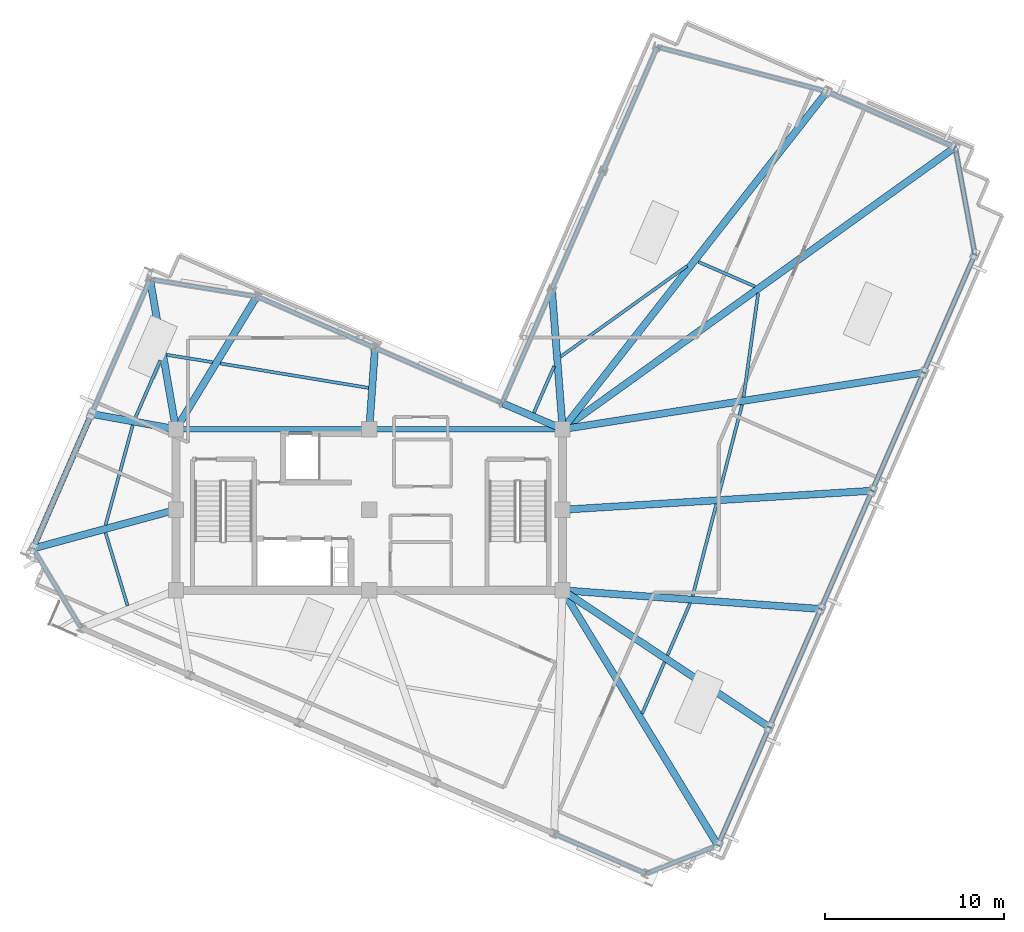
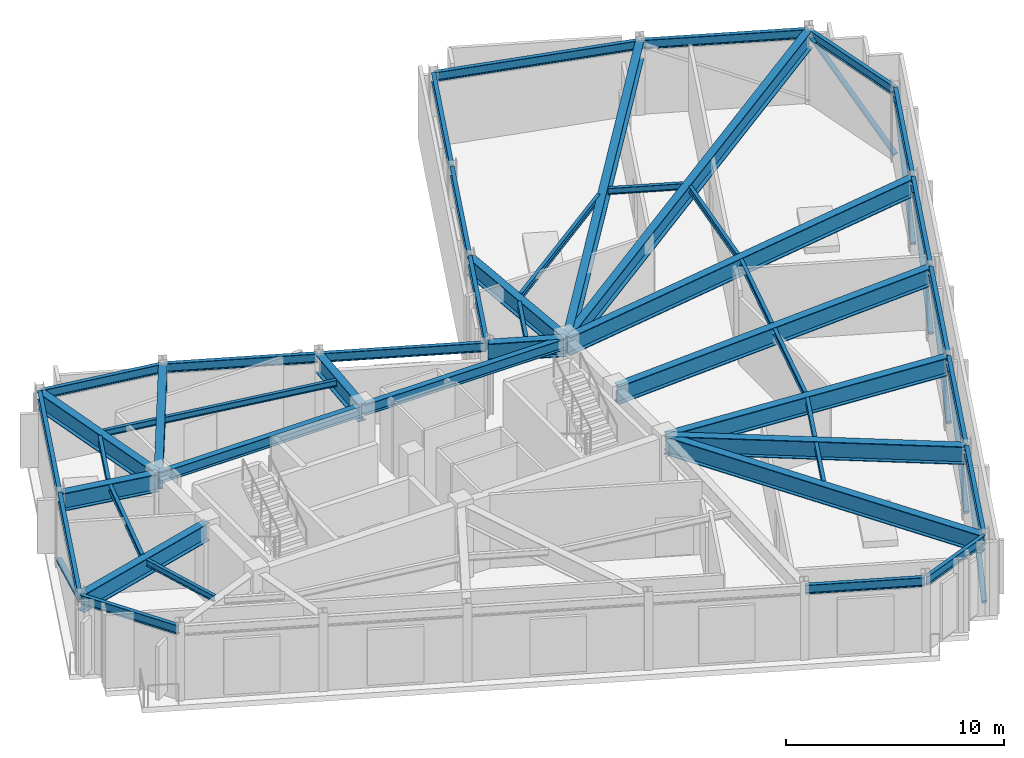
# One storey, part 3 of 11: 48 beams, 7 members.
"""IFC4 building model written with IfcOpenShell, lengths in metres."""

from ifc_helpers import new_model, si_unit, direction, frame, origin, origin_2d, place, context, subcontext, project, spatial, hollow_circle, i_section, extrude, material, material_profile, profile_set, type_object, element, save


model = new_model("IFC4")

# Units and contexts
model_context = context("Model", 3, precision=1e-05, world=origin(), true_north=direction((0.0, 1.0)))
body_context = subcontext(model_context, "Body", "Model", "MODEL_VIEW")
ifc_project = project(units=[si_unit("LENGTHUNIT", "METRE"), si_unit("AREAUNIT", "SQUARE_METRE"), si_unit("VOLUMEUNIT", "CUBIC_METRE"), si_unit("PLANEANGLEUNIT", "RADIAN"), si_unit("MASSUNIT", "GRAM", prefix="KILO")], contexts=[model_context])

# Site, building, storey
site_placement = place(None, origin())
site = spatial("IfcSite", under=ifc_project, at=site_placement, CompositionType="ELEMENT")
building_placement = place(site_placement, origin())
building = spatial("IfcBuilding", under=site, at=building_placement, Name="Gaonmaruhae Medical Tower", CompositionType="ELEMENT")
storey_placement = place(building_placement, frame((0.0, 0.0, 338.199951171875)))
storey = spatial("IfcBuildingStorey", under=building, at=storey_placement, Name="L81", CompositionType="ELEMENT", Elevation=338.199951171875)

# Beams
ifc_material_1 = material(Name="Steel SM420", Category="steel")
ifc_material_profile_1 = material_profile(ifc_material_1, i_section(OverallWidth=0.39990234375, OverallDepth=1.0, WebThickness=0.02197265625, FlangeThickness=0.035888671875, at=origin_2d()), Name="BH-1000x400x22x36")
ifc_profile_set_1 = profile_set([ifc_material_profile_1], Name="Steel SM420")
beam_type_1 = type_object("IfcBeamType", Name="BG-02 Refuge Floor Primary Girder (BH-1000x400x22x36)", PredefinedType="BEAM", material=ifc_profile_set_1)
beam_1_placement = place(storey_placement, frame((35.6259765625, 7.75732421875, 3.60009765625), z_axis=(0.520036625826, -0.854143961988, 0.0), x_axis=(0.854143961988, 0.520036625826, 0.0)))
element("IfcBeam", 1, at=beam_1_placement, inside=storey, type_object=beam_type_1, Name="L81 Radial Primary Girder S01", PredefinedType="BEAM", context=body_context, shape_type="SweptSolid", body=[
    extrude(i_section(OverallWidth=0.39990234375, OverallDepth=1.0, WebThickness=0.02197265625, FlangeThickness=0.035888671875, at=origin_2d()), origin(), (0.0, 0.0, 1.0), 16.58154296875),
])
beam_2_placement = place(storey_placement, frame((35.6416015625, 7.7724609375, 3.60009765625), z_axis=(0.833770161097, -0.552111690208, 0.0), x_axis=(0.552111690208, 0.833770161097, 0.0)))
element("IfcBeam", 2, at=beam_2_placement, inside=storey, type_object=beam_type_1, Name="L81 Radial Primary Girder S02", PredefinedType="BEAM", context=body_context, shape_type="SweptSolid", body=[
    extrude(i_section(OverallWidth=0.39990234375, OverallDepth=1.0, WebThickness=0.02197265625, FlangeThickness=0.035888671875, at=origin_2d()), origin(), (0.0, 0.0, 1.0), 13.748291015625),
])
beam_3_placement = place(storey_placement, frame((35.64990234375, 7.79638671875, 3.60009765625), z_axis=(0.997394062708, -0.072146265841, 0.0), x_axis=(0.072146265841, 0.997394062708, 0.0)))
element("IfcBeam", 3, at=beam_3_placement, inside=storey, type_object=beam_type_1, Name="L81 Radial Primary Girder S03", PredefinedType="BEAM", context=body_context, shape_type="SweptSolid", body=[
    extrude(i_section(OverallWidth=0.39990234375, OverallDepth=1.0, WebThickness=0.02197265625, FlangeThickness=0.035888671875, at=origin_2d()), origin(), (0.0, 0.0, 1.0), 14.354736328125),
])
beam_4_placement = place(storey_placement, frame((35.64990234375, 12.302978515625, 3.60009765625), z_axis=(0.998125311209, 0.061203456791, 0.0), x_axis=(-0.061203456791, 0.998125311209, 0.0)))
element("IfcBeam", 4, at=beam_4_placement, inside=storey, type_object=beam_type_1, Name="L81 Radial Primary Girder S04", PredefinedType="BEAM", context=body_context, shape_type="SweptSolid", body=[
    extrude(i_section(OverallWidth=0.39990234375, OverallDepth=1.0, WebThickness=0.02197265625, FlangeThickness=0.035888671875, at=origin_2d()), origin(), (0.0, 0.0, 1.0), 17.220458984375),
])
beam_5_placement = place(storey_placement, frame((35.6494140625, 16.807861328125, 3.60009765625), z_axis=(0.987915736395, 0.15499192812, 0.0), x_axis=(-0.15499192812, 0.987915736395, 0.0)))
element("IfcBeam", 5, at=beam_5_placement, inside=storey, type_object=beam_type_1, Name="L81 Radial Primary Girder S05", PredefinedType="BEAM", context=body_context, shape_type="SweptSolid", body=[
    extrude(i_section(OverallWidth=0.39990234375, OverallDepth=1.0, WebThickness=0.02197265625, FlangeThickness=0.035888671875, at=origin_2d()), origin(), (0.0, 0.0, 1.0), 20.3056640625),
])
beam_6_placement = place(storey_placement, frame((35.640625, 16.8291015625, 3.60009765625), z_axis=(0.812127869731, 0.583479496818, 0.0), x_axis=(-0.583479496818, 0.812127869731, 0.0)))
element("IfcBeam", 6, at=beam_6_placement, inside=storey, type_object=beam_type_1, Name="L81 Radial Primary Girder E01", PredefinedType="BEAM", context=body_context, shape_type="SweptSolid", body=[
    extrude(i_section(OverallWidth=0.39990234375, OverallDepth=1.0, WebThickness=0.02197265625, FlangeThickness=0.035888671875, at=origin_2d()), origin(), (0.0, 0.0, 1.0), 26.89794921875),
])
beam_7_placement = place(storey_placement, frame((35.630859375, 16.83935546875, 3.60009765625), z_axis=(0.616575305367, 0.78729593725, 0.0), x_axis=(-0.78729593725, 0.616575305367, 0.0)))
element("IfcBeam", 7, at=beam_7_placement, inside=storey, type_object=beam_type_1, Name="L81 Radial Primary Girder E02", PredefinedType="BEAM", context=body_context, shape_type="SweptSolid", body=[
    extrude(i_section(OverallWidth=0.39990234375, OverallDepth=1.0, WebThickness=0.02197265625, FlangeThickness=0.035888671875, at=origin_2d()), origin(), (0.0, 0.0, 1.0), 23.859130859375),
])
beam_8_placement = place(storey_placement, frame((35.59619140625, 16.849853515625, 3.60009765625), z_axis=(-0.076722992115, 0.997052447207, 0.0), x_axis=(-0.997052447207, -0.076722992115, 0.0)))
element("IfcBeam", 8, at=beam_8_placement, inside=storey, type_object=beam_type_1, Name="L81 Radial Primary Girder EN02", PredefinedType="BEAM", context=body_context, shape_type="SweptSolid", body=[
    extrude(i_section(OverallWidth=0.39990234375, OverallDepth=1.0, WebThickness=0.02197265625, FlangeThickness=0.035888671875, at=origin_2d()), origin(), (0.0, 0.0, 1.0), 7.751708984375),
])
beam_9_placement = place(storey_placement, frame((35.55419921875, 16.81982421875, 3.60009765625), z_axis=(-0.918259431029, 0.395979314266, 0.0), x_axis=(-0.395979314266, -0.918259431029, 0.0)))
element("IfcBeam", 9, at=beam_9_placement, inside=storey, type_object=beam_type_1, Name="L81 Radial Primary Girder KN01", PredefinedType="BEAM", context=body_context, shape_type="SweptSolid", body=[
    extrude(i_section(OverallWidth=0.39990234375, OverallDepth=1.0, WebThickness=0.02197265625, FlangeThickness=0.035888671875, at=origin_2d()), origin(), (0.0, 0.0, 1.0), 3.57421875),
])
beam_10_placement = place(storey_placement, frame((24.803466796875, 16.849853515625, 3.60009765625), z_axis=(0.070012845455, 0.997546089898, 0.0), x_axis=(-0.997546089898, 0.070012845455, 0.0)))
element("IfcBeam", 10, at=beam_10_placement, inside=storey, type_object=beam_type_1, Name="L81 Radial Primary Girder NE01", PredefinedType="BEAM", context=body_context, shape_type="SweptSolid", body=[
    extrude(i_section(OverallWidth=0.39990234375, OverallDepth=1.0, WebThickness=0.02197265625, FlangeThickness=0.035888671875, at=origin_2d()), origin(), (0.0, 0.0, 1.0), 4.45654296875),
])
beam_11_placement = place(storey_placement, frame((14.026123046875, 16.8427734375, 3.60009765625), z_axis=(0.520106658264, 0.854101319534, 0.0), x_axis=(-0.854101319534, 0.520106658264, 0.0)))
element("IfcBeam", 11, at=beam_11_placement, inside=storey, type_object=beam_type_1, Name="L81 Radial Primary Girder NE02", PredefinedType="BEAM", context=body_context, shape_type="SweptSolid", body=[
    extrude(i_section(OverallWidth=0.39990234375, OverallDepth=1.0, WebThickness=0.02197265625, FlangeThickness=0.035888671875, at=origin_2d()), origin(), (0.0, 0.0, 1.0), 8.5830078125),
])
beam_12_placement = place(storey_placement, frame((13.991455078125, 16.849365234375, 3.60009765625), z_axis=(-0.170256429826, 0.985399791, 0.0), x_axis=(-0.985399791, -0.170256429826, 0.0)))
element("IfcBeam", 12, at=beam_12_placement, inside=storey, type_object=beam_type_1, Name="L81 Radial Primary Girder N01", PredefinedType="BEAM", context=body_context, shape_type="SweptSolid", body=[
    extrude(i_section(OverallWidth=0.39990234375, OverallDepth=1.0, WebThickness=0.02197265625, FlangeThickness=0.035888671875, at=origin_2d()), origin(), (0.0, 0.0, 1.0), 8.397216796875),
])
beam_13_placement = place(storey_placement, frame((13.95068359375, 16.808837890625, 3.60009765625), z_axis=(-0.984016905829, 0.17807506575, 0.0), x_axis=(-0.17807506575, -0.984016905829, 0.0)))
element("IfcBeam", 13, at=beam_13_placement, inside=storey, type_object=beam_type_1, Name="L81 Radial Primary Girder N02", PredefinedType="BEAM", context=body_context, shape_type="SweptSolid", body=[
    extrude(i_section(OverallWidth=0.39990234375, OverallDepth=1.0, WebThickness=0.02197265625, FlangeThickness=0.035888671875, at=origin_2d()), origin(), (0.0, 0.0, 1.0), 4.69287109375),
])
beam_14_placement = place(storey_placement, frame((13.95166015625, 12.286865234375, 3.60009765625), z_axis=(-0.965122679795, -0.261798038467, 0.0), x_axis=(0.261798038467, -0.965122679795, 0.0)))
element("IfcBeam", 14, at=beam_14_placement, inside=storey, type_object=beam_type_1, Name="L81 Radial Primary Girder N03", PredefinedType="BEAM", context=body_context, shape_type="SweptSolid", body=[
    extrude(i_section(OverallWidth=0.39990234375, OverallDepth=1.0, WebThickness=0.02197265625, FlangeThickness=0.035888671875, at=origin_2d()), origin(), (0.0, 0.0, 1.0), 8.1748046875),
])
ifc_material_2 = material(Name="Steel SM355", Category="steel")
ifc_material_profile_2 = material_profile(ifc_material_2, i_section(OverallWidth=0.175048828125, OverallDepth=0.35009765625, WebThickness=0.007080078125, FlangeThickness=0.010986328125, FilletRadius=0.012939453125, at=origin_2d()), Name="H-350x175x7x11")
ifc_profile_set_2 = profile_set([ifc_material_profile_2], Name="Steel SM355")
beam_type_2 = type_object("IfcBeamType", Name="FJ-02 Upper Zone Ward Floor Joist (H-350x175x7x11)", PredefinedType="JOIST", material=ifc_profile_set_2)
beam_15_placement = place(storey_placement, frame((40.03759765625, 0.905517578125, 3.925048828125), z_axis=(0.39874601067, 0.917061404146, 0.0), x_axis=(-0.917061404146, 0.39874601067, 0.0)))
element("IfcBeam", 15, at=beam_15_placement, inside=storey, type_object=beam_type_2, Name="L81 Secondary Floor Joist FJ01", PredefinedType="JOIST", context=body_context, shape_type="SweptSolid", body=[
    extrude(i_section(OverallWidth=0.175048828125, OverallDepth=0.35009765625, WebThickness=0.007080078125, FlangeThickness=0.010986328125, FilletRadius=0.012939453125, at=origin_2d()), origin(), (0.0, 0.0, 1.0), 3.140380859375),
])
beam_16_placement = place(storey_placement, frame((41.45654296875, 4.1689453125, 3.925048828125), z_axis=(0.398742993355, 0.917062716094, 0.0), x_axis=(-0.917062716094, 0.398742993355, 0.0)))
element("IfcBeam", 16, at=beam_16_placement, inside=storey, type_object=beam_type_2, Name="L81 Secondary Floor Joist FJ02", PredefinedType="JOIST", context=body_context, shape_type="SweptSolid", body=[
    extrude(i_section(OverallWidth=0.175048828125, OverallDepth=0.35009765625, WebThickness=0.007080078125, FlangeThickness=0.010986328125, FilletRadius=0.012939453125, at=origin_2d()), origin(), (0.0, 0.0, 1.0), 3.1728515625),
])
beam_17_placement = place(storey_placement, frame((42.86083984375, 7.481201171875, 3.925048828125), z_axis=(0.250373159945, 0.968149410359, 0.0), x_axis=(-0.968149410359, 0.250373159945, 0.0)))
element("IfcBeam", 17, at=beam_17_placement, inside=storey, type_object=beam_type_2, Name="L81 Secondary Floor Joist FJ03", PredefinedType="JOIST", context=body_context, shape_type="SweptSolid", body=[
    extrude(i_section(OverallWidth=0.175048828125, OverallDepth=0.35009765625, WebThickness=0.007080078125, FlangeThickness=0.010986328125, FilletRadius=0.012939453125, at=origin_2d()), origin(), (0.0, 0.0, 1.0), 5.30859375),
])
beam_18_placement = place(storey_placement, frame((44.298095703125, 13.03955078125, 3.925048828125), z_axis=(0.25037313325, 0.968149417263, 0.0), x_axis=(-0.968149417263, 0.25037313325, 0.0)))
element("IfcBeam", 18, at=beam_18_placement, inside=storey, type_object=beam_type_2, Name="L81 Secondary Floor Joist FJ04", PredefinedType="JOIST", context=body_context, shape_type="SweptSolid", body=[
    extrude(i_section(OverallWidth=0.175048828125, OverallDepth=0.35009765625, WebThickness=0.007080078125, FlangeThickness=0.010986328125, FilletRadius=0.012939453125, at=origin_2d()), origin(), (0.0, 0.0, 1.0), 5.2939453125),
])
beam_19_placement = place(storey_placement, frame((45.70947265625, 18.594482421875, 3.925048828125), z_axis=(0.138970704931, 0.990296492557, 0.0), x_axis=(-0.990296492557, 0.138970704931, 0.0)))
element("IfcBeam", 19, at=beam_19_placement, inside=storey, type_object=beam_type_2, Name="L81 Secondary Floor Joist FJ05", PredefinedType="JOIST", context=body_context, shape_type="SweptSolid", body=[
    extrude(i_section(OverallWidth=0.175048828125, OverallDepth=0.35009765625, WebThickness=0.007080078125, FlangeThickness=0.010986328125, FilletRadius=0.012939453125, at=origin_2d()), origin(), (0.0, 0.0, 1.0), 5.85888671875),
])
beam_20_placement = place(storey_placement, frame((46.34375, 24.771484375, 3.925048828125), z_axis=(-0.917037412136, 0.39880118448, 0.0), x_axis=(-0.39880118448, -0.917037412136, 0.0)))
element("IfcBeam", 20, at=beam_20_placement, inside=storey, type_object=beam_type_2, Name="L81 Secondary Floor Joist FJ06", PredefinedType="JOIST", context=body_context, shape_type="SweptSolid", body=[
    extrude(i_section(OverallWidth=0.175048828125, OverallDepth=0.35009765625, WebThickness=0.007080078125, FlangeThickness=0.010986328125, FilletRadius=0.012939453125, at=origin_2d()), origin(), (0.0, 0.0, 1.0), 3.448486328125),
])
beam_21_placement = place(storey_placement, frame((42.553955078125, 25.921142578125, 3.925048828125), z_axis=(-0.812434971378, -0.583051813548, 0.0), x_axis=(0.583051813548, -0.812434971378, 0.0)))
element("IfcBeam", 21, at=beam_21_placement, inside=storey, type_object=beam_type_2, Name="L81 Secondary Floor Joist FJ07", PredefinedType="JOIST", context=body_context, shape_type="SweptSolid", body=[
    extrude(i_section(OverallWidth=0.175048828125, OverallDepth=0.35009765625, WebThickness=0.007080078125, FlangeThickness=0.010986328125, FilletRadius=0.012939453125, at=origin_2d()), origin(), (0.0, 0.0, 1.0), 8.690185546875),
])
beam_22_placement = place(storey_placement, frame((35.1259765625, 20.31689453125, 3.925048828125), z_axis=(-0.398704074368, -0.917079637263, 0.0), x_axis=(0.917079637263, -0.398704074368, 0.0)))
element("IfcBeam", 22, at=beam_22_placement, inside=storey, type_object=beam_type_2, Name="L81 Secondary Floor Joist FJ08", PredefinedType="JOIST", context=body_context, shape_type="SweptSolid", body=[
    extrude(i_section(OverallWidth=0.175048828125, OverallDepth=0.35009765625, WebThickness=0.007080078125, FlangeThickness=0.010986328125, FilletRadius=0.012939453125, at=origin_2d()), origin(), (0.0, 0.0, 1.0), 2.835693359375),
])
beam_23_placement = place(storey_placement, frame((24.75537109375, 19.106201171875, 3.925048828125), z_axis=(-0.986663894193, 0.162770881598, 0.0), x_axis=(-0.162770881598, -0.986663894193, 0.0)))
element("IfcBeam", 23, at=beam_23_placement, inside=storey, type_object=beam_type_2, Name="L81 Secondary Floor Joist FJ10", PredefinedType="JOIST", context=body_context, shape_type="SweptSolid", body=[
    extrude(i_section(OverallWidth=0.175048828125, OverallDepth=0.35009765625, WebThickness=0.007080078125, FlangeThickness=0.010986328125, FilletRadius=0.012939453125, at=origin_2d()), origin(), (0.0, 0.0, 1.0), 8.390380859375),
])
beam_24_placement = place(storey_placement, frame((16.038818359375, 20.543212890625, 3.925048828125), z_axis=(-0.987360795074, 0.158488675779, 0.0), x_axis=(-0.158488675779, -0.987360795074, 0.0)))
element("IfcBeam", 24, at=beam_24_placement, inside=storey, type_object=beam_type_2, Name="L81 Secondary Floor Joist FJ11", PredefinedType="JOIST", context=body_context, shape_type="SweptSolid", body=[
    extrude(i_section(OverallWidth=0.175048828125, OverallDepth=0.35009765625, WebThickness=0.007080078125, FlangeThickness=0.010986328125, FilletRadius=0.012939453125, at=origin_2d()), origin(), (0.0, 0.0, 1.0), 2.580322265625),
])
beam_25_placement = place(storey_placement, frame((13.12890625, 20.64697265625, 3.925048828125), z_axis=(-0.398746411425, -0.917061229895, 0.0), x_axis=(0.917061229895, -0.398746411425, 0.0)))
element("IfcBeam", 25, at=beam_25_placement, inside=storey, type_object=beam_type_2, Name="L81 Secondary Floor Joist FJ12", PredefinedType="JOIST", context=body_context, shape_type="SweptSolid", body=[
    extrude(i_section(OverallWidth=0.175048828125, OverallDepth=0.35009765625, WebThickness=0.007080078125, FlangeThickness=0.010986328125, FilletRadius=0.012939453125, at=origin_2d()), origin(), (0.0, 0.0, 1.0), 3.51806640625),
])
beam_26_placement = place(storey_placement, frame((11.58740234375, 17.027099609375, 3.925048828125), z_axis=(-0.262477989376, -0.964937979921, 0.0), x_axis=(0.964937979921, -0.262477989376, 0.0)))
element("IfcBeam", 26, at=beam_26_placement, inside=storey, type_object=beam_type_2, Name="L81 Secondary Floor Joist FJ13", PredefinedType="JOIST", context=body_context, shape_type="SweptSolid", body=[
    extrude(i_section(OverallWidth=0.175048828125, OverallDepth=0.35009765625, WebThickness=0.007080078125, FlangeThickness=0.010986328125, FilletRadius=0.012939453125, at=origin_2d()), origin(), (0.0, 0.0, 1.0), 5.78369140625),
])
beam_27_placement = place(storey_placement, frame((10.06640625, 11.01953125, 3.925048828125), z_axis=(0.289103701868, -0.957297785209, 0.0), x_axis=(0.957297785209, 0.289103701868, 0.0)))
element("IfcBeam", 27, at=beam_27_placement, inside=storey, type_object=beam_type_2, Name="L81 Secondary Floor Joist FJ14", PredefinedType="JOIST", context=body_context, shape_type="SweptSolid", body=[
    extrude(i_section(OverallWidth=0.175048828125, OverallDepth=0.35009765625, WebThickness=0.007080078125, FlangeThickness=0.010986328125, FilletRadius=0.012939453125, at=origin_2d()), origin(), (0.0, 0.0, 1.0), 4.259521484375),
])

# Member
ifc_material_profile_3 = material_profile(ifc_material_2, hollow_circle(Radius=0.1591796875, WallThickness=0.01025390625, at=origin_2d()), Name="CHS-318.5x10.3")
ifc_profile_set_3 = profile_set([ifc_material_profile_3], Name="Steel SM355")
member_type_1 = type_object("IfcMemberType", Name="PB-03 Perimeter Solid-Bay Tube Brace Upper (CHS-318.5x10.3)", PredefinedType="BRACE", material=ifc_profile_set_3)
member_1_placement = place(storey_placement, frame((9.283447265625, 17.653564453125, 0.25), z_axis=(-0.365109455118, -0.839699950462, 0.401993879278), x_axis=(0.917061062653, -0.398746796056, 0.0)))
element("IfcMember", 28, at=member_1_placement, inside=storey, type_object=member_type_1, Name="L81 Perimeter Tube Solid-Bay Brace N02-N03", PredefinedType="BRACE", context=body_context, shape_type="SweptSolid", body=[
    extrude(hollow_circle(Radius=0.1591796875, WallThickness=0.01025390625, at=origin_2d()), origin(), (0.0, 0.0, 1.0), 8.95556640625),
])

# Beams
ifc_material_profile_4 = material_profile(ifc_material_1, i_section(OverallWidth=0.300048828125, OverallDepth=0.60009765625, WebThickness=0.011962890625, FlangeThickness=0.02001953125, FilletRadius=0.012939453125, at=origin_2d()), Name="H-600x300x12x20")
ifc_profile_set_4 = profile_set([ifc_material_profile_4], Name="Steel SM420")
beam_type_3 = type_object("IfcBeamType", Name="PG-04 Zone 4 Radial Floor Girder (H-600x300x12x20)", PredefinedType="BEAM", material=ifc_profile_set_4)
for number, where, z_axis, x_axis, name in (
    (29, (14.050048828125, 16.800048828125, 3.800048828125), (1.0, 0.0, 0.0), (0.0, 1.0, 0.0), "L81 Beam BM-L81-CG-N1"),
    (30, (24.85009765625, 16.800048828125, 3.800048828125), (1.0, 0.0, 0.0), (0.0, 1.0, 0.0), "L81 Beam BM-L81-CG-N2"),
):
    element("IfcBeam", number, at=place(storey_placement, frame(where, z_axis=z_axis, x_axis=x_axis)), inside=storey, type_object=beam_type_3, Name=name, PredefinedType="BEAM", context=body_context, shape_type="SweptSolid", body=[
        extrude(i_section(OverallWidth=0.300048828125, OverallDepth=0.60009765625, WebThickness=0.011962890625, FlangeThickness=0.02001953125, FilletRadius=0.012939453125, at=origin_2d()), origin(), (0.0, 0.0, 1.0), 10.699951171875),
    ])
ifc_material_profile_5 = material_profile(ifc_material_2, i_section(OverallWidth=0.199951171875, OverallDepth=0.5, WebThickness=0.010009765625, FlangeThickness=0.01611328125, FilletRadius=0.012939453125, at=origin_2d()), Name="H-500x200x10x16")
ifc_profile_set_5 = profile_set([ifc_material_profile_5], Name="Steel SM355")
beam_type_4 = type_object("IfcBeamType", Name="SP-02 Upper Perimeter Spandrel Beam (H-500x200x10x16)", PredefinedType="SPANDREL", material=ifc_profile_set_5)
beam_28_placement = place(storey_placement, frame((44.291015625, -6.411865234375, 3.85009765625), z_axis=(0.398747426125, 0.917060788693, 0.0), x_axis=(-0.917060788693, 0.398747426125, 0.0)))
element("IfcBeam", 31, at=beam_28_placement, inside=storey, type_object=beam_type_4, Name="L81 Perimeter Spandrel Beam S01-S02", PredefinedType="SPANDREL", context=body_context, shape_type="SweptSolid", body=[
    extrude(i_section(OverallWidth=0.199951171875, OverallDepth=0.5, WebThickness=0.010009765625, FlangeThickness=0.01611328125, FilletRadius=0.012939453125, at=origin_2d()), origin(), (0.0, 0.0, 1.0), 7.1201171875),
])
beam_29_placement = place(storey_placement, frame((47.162109375, 0.191162109375, 3.85009765625), z_axis=(0.398759965154, 0.917055336493, 0.0), x_axis=(-0.917055336493, 0.398759965154, 0.0)))
element("IfcBeam", 32, at=beam_29_placement, inside=storey, type_object=beam_type_4, Name="L81 Perimeter Spandrel Beam S02-S03", PredefinedType="SPANDREL", context=body_context, shape_type="SweptSolid", body=[
    extrude(i_section(OverallWidth=0.199951171875, OverallDepth=0.5, WebThickness=0.010009765625, FlangeThickness=0.01611328125, FilletRadius=0.012939453125, at=origin_2d()), origin(), (0.0, 0.0, 1.0), 7.119873046875),
])
for number, where, z_axis, x_axis, name in (
    (33, (50.032958984375, 6.7939453125, 3.85009765625), (0.398747426125, 0.917060788693, 0.0), (-0.917060788693, 0.398747426125, 0.0), "L81 Perimeter Spandrel Beam S03-S04"),
    (34, (52.904052734375, 13.396728515625, 3.85009765625), (0.398747426125, 0.917060788693, 0.0), (-0.917060788693, 0.398747426125, 0.0), "L81 Perimeter Spandrel Beam S04-S05"),
):
    element("IfcBeam", number, at=place(storey_placement, frame(where, z_axis=z_axis, x_axis=x_axis)), inside=storey, type_object=beam_type_4, Name=name, PredefinedType="SPANDREL", context=body_context, shape_type="SweptSolid", body=[
        extrude(i_section(OverallWidth=0.199951171875, OverallDepth=0.5, WebThickness=0.010009765625, FlangeThickness=0.01611328125, FilletRadius=0.012939453125, at=origin_2d()), origin(), (0.0, 0.0, 1.0), 7.1201171875),
    ])
beam_30_placement = place(storey_placement, frame((55.775146484375, 19.99951171875, 3.85009765625), z_axis=(0.398718588421, 0.917073327083, 0.0), x_axis=(-0.917073327083, 0.398718588421, 0.0)))
element("IfcBeam", 35, at=beam_30_placement, inside=storey, type_object=beam_type_4, Name="L81 Perimeter Spandrel Beam S05-S06", PredefinedType="SPANDREL", context=body_context, shape_type="SweptSolid", body=[
    extrude(i_section(OverallWidth=0.199951171875, OverallDepth=0.5, WebThickness=0.010009765625, FlangeThickness=0.01611328125, FilletRadius=0.012939453125, at=origin_2d()), origin(), (0.0, 0.0, 1.0), 7.119873046875),
])
beam_31_placement = place(storey_placement, frame((58.622802734375, 26.60498046875, 3.85009765625), z_axis=(-0.181402379506, 0.983408957001, 0.0), x_axis=(-0.983408957001, -0.181402379506, 0.0)))
element("IfcBeam", 36, at=beam_31_placement, inside=storey, type_object=beam_type_4, Name="L81 Perimeter Spandrel Beam S06-E01", PredefinedType="SPANDREL", context=body_context, shape_type="SweptSolid", body=[
    extrude(i_section(OverallWidth=0.199951171875, OverallDepth=0.5, WebThickness=0.010009765625, FlangeThickness=0.01611328125, FilletRadius=0.012939453125, at=origin_2d()), origin(), (0.0, 0.0, 1.0), 6.0078125),
])
beam_32_placement = place(storey_placement, frame((57.489013671875, 32.568603515625, 3.85009765625), z_axis=(-0.91705648068, 0.398757333778, 0.0), x_axis=(-0.398757333778, -0.91705648068, 0.0)))
element("IfcBeam", 37, at=beam_32_placement, inside=storey, type_object=beam_type_4, Name="L81 Perimeter Spandrel Beam E01-E02", PredefinedType="SPANDREL", context=body_context, shape_type="SweptSolid", body=[
    extrude(i_section(OverallWidth=0.199951171875, OverallDepth=0.5, WebThickness=0.010009765625, FlangeThickness=0.01611328125, FilletRadius=0.012939453125, at=origin_2d()), origin(), (0.0, 0.0, 1.0), 7.719970703125),
])
beam_33_placement = place(storey_placement, frame((50.333984375, 35.673095703125, 3.85009765625), z_axis=(-0.967227039177, 0.253913084904, 0.0), x_axis=(-0.253913084904, -0.967227039177, 0.0)))
element("IfcBeam", 38, at=beam_33_placement, inside=storey, type_object=beam_type_4, Name="L81 Perimeter Spandrel Beam E02-E03", PredefinedType="SPANDREL", context=body_context, shape_type="SweptSolid", body=[
    extrude(i_section(OverallWidth=0.199951171875, OverallDepth=0.5, WebThickness=0.010009765625, FlangeThickness=0.01611328125, FilletRadius=0.012939453125, at=origin_2d()), origin(), (0.0, 0.0, 1.0), 9.7353515625),
])
beam_34_placement = place(storey_placement, frame((40.863037109375, 38.118408203125, 3.85009765625), z_axis=(-0.398738062403, -0.917064860079, 0.0), x_axis=(0.917064860079, -0.398738062403, 0.0)))
element("IfcBeam", 39, at=beam_34_placement, inside=storey, type_object=beam_type_4, Name="L81 Perimeter Spandrel Beam E03-EN01", PredefinedType="SPANDREL", context=body_context, shape_type="SweptSolid", body=[
    extrude(i_section(OverallWidth=0.199951171875, OverallDepth=0.5, WebThickness=0.010009765625, FlangeThickness=0.01611328125, FilletRadius=0.012939453125, at=origin_2d()), origin(), (0.0, 0.0, 1.0), 7.469970703125),
])
beam_35_placement = place(storey_placement, frame((37.8525390625, 31.194580078125, 3.85009765625), z_axis=(-0.398759965154, -0.917055336493, 0.0), x_axis=(0.917055336493, -0.398759965154, 0.0)))
element("IfcBeam", 40, at=beam_35_placement, inside=storey, type_object=beam_type_4, Name="L81 Perimeter Spandrel Beam EN01-EN02", PredefinedType="SPANDREL", context=body_context, shape_type="SweptSolid", body=[
    extrude(i_section(OverallWidth=0.199951171875, OverallDepth=0.5, WebThickness=0.010009765625, FlangeThickness=0.01611328125, FilletRadius=0.012939453125, at=origin_2d()), origin(), (0.0, 0.0, 1.0), 7.119873046875),
])
beam_36_placement = place(storey_placement, frame((34.981689453125, 24.591796875, 3.85009765625), z_axis=(-0.398768993563, -0.917051410649, 0.0), x_axis=(0.917051410649, -0.398768993563, 0.0)))
element("IfcBeam", 41, at=beam_36_placement, inside=storey, type_object=beam_type_4, Name="L81 Perimeter Spandrel Beam EN02-KN01", PredefinedType="SPANDREL", context=body_context, shape_type="SweptSolid", body=[
    extrude(i_section(OverallWidth=0.199951171875, OverallDepth=0.5, WebThickness=0.010009765625, FlangeThickness=0.01611328125, FilletRadius=0.012939453125, at=origin_2d()), origin(), (0.0, 0.0, 1.0), 6.869873046875),
])
beam_37_placement = place(storey_placement, frame((32.189453125, 18.27099609375, 3.85009765625), z_axis=(-0.917059428629, 0.398750554059, 0.0), x_axis=(-0.398750554059, -0.917059428629, 0.0)))
element("IfcBeam", 42, at=beam_37_placement, inside=storey, type_object=beam_type_4, Name="L81 Perimeter Spandrel Beam KN01-NE01", PredefinedType="SPANDREL", context=body_context, shape_type="SweptSolid", body=[
    extrude(i_section(OverallWidth=0.199951171875, OverallDepth=0.5, WebThickness=0.010009765625, FlangeThickness=0.01611328125, FilletRadius=0.012939453125, at=origin_2d()), origin(), (0.0, 0.0, 1.0), 7.669921875),
])
beam_38_placement = place(storey_placement, frame((25.082275390625, 21.361083984375, 3.85009765625), z_axis=(-0.917055336493, 0.398759965154, 0.0), x_axis=(-0.398759965154, -0.917055336493, 0.0)))
element("IfcBeam", 43, at=beam_38_placement, inside=storey, type_object=beam_type_4, Name="L81 Perimeter Spandrel Beam NE01-NE02", PredefinedType="SPANDREL", context=body_context, shape_type="SweptSolid", body=[
    extrude(i_section(OverallWidth=0.199951171875, OverallDepth=0.5, WebThickness=0.010009765625, FlangeThickness=0.01611328125, FilletRadius=0.012939453125, at=origin_2d()), origin(), (0.0, 0.0, 1.0), 7.119873046875),
])
beam_39_placement = place(storey_placement, frame((18.4765625, 24.22265625, 3.85009765625), z_axis=(-0.987363817678, 0.158469844265, 0.0), x_axis=(-0.158469844265, -0.987363817678, 0.0)))
element("IfcBeam", 44, at=beam_39_placement, inside=storey, type_object=beam_type_4, Name="L81 Perimeter Spandrel Beam NE02-N01", PredefinedType="SPANDREL", context=body_context, shape_type="SweptSolid", body=[
    extrude(i_section(OverallWidth=0.199951171875, OverallDepth=0.5, WebThickness=0.010009765625, FlangeThickness=0.01611328125, FilletRadius=0.012939453125, at=origin_2d()), origin(), (0.0, 0.0, 1.0), 5.958984375),
])
for number, where, z_axis, x_axis, name in (
    (45, (12.537353515625, 25.13671875, 3.85009765625), (-0.398743701995, -0.917062407974, 0.0), (0.917062407974, -0.398743701995, 0.0), "L81 Perimeter Spandrel Beam N01-N02"),
    (46, (9.267578125, 17.61669921875, 3.85009765625), (-0.398743701995, -0.917062407974, 0.0), (0.917062407974, -0.398743701995, 0.0), "L81 Perimeter Spandrel Beam N02-N03"),
):
    element("IfcBeam", number, at=place(storey_placement, frame(where, z_axis=z_axis, x_axis=x_axis)), inside=storey, type_object=beam_type_4, Name=name, PredefinedType="SPANDREL", context=body_context, shape_type="SweptSolid", body=[
        extrude(i_section(OverallWidth=0.199951171875, OverallDepth=0.5, WebThickness=0.010009765625, FlangeThickness=0.01611328125, FilletRadius=0.012939453125, at=origin_2d()), origin(), (0.0, 0.0, 1.0), 8.119873046875),
    ])
beam_40_placement = place(storey_placement, frame((6.034423828125, 10.099365234375, 3.85009765625), z_axis=(0.519289042516, -0.854598672081, 0.0), x_axis=(0.854598672081, 0.519289042516, 0.0)))
element("IfcBeam", 47, at=beam_40_placement, inside=storey, type_object=beam_type_4, Name="L81 Perimeter Spandrel Beam N03-W01", PredefinedType="SPANDREL", context=body_context, shape_type="SweptSolid", body=[
    extrude(i_section(OverallWidth=0.199951171875, OverallDepth=0.5, WebThickness=0.010009765625, FlangeThickness=0.01611328125, FilletRadius=0.012939453125, at=origin_2d()), origin(), (0.0, 0.0, 1.0), 5.122314453125),
])
beam_41_placement = place(storey_placement, frame((35.1630859375, -5.812255859375, 3.85009765625), z_axis=(0.917050366415, -0.398771394984, 0.0), x_axis=(0.398771394984, 0.917050366415, 0.0)))
element("IfcBeam", 48, at=beam_41_placement, inside=storey, type_object=beam_type_4, Name="L81 Perimeter Spandrel Beam W05-W06", PredefinedType="SPANDREL", context=body_context, shape_type="SweptSolid", body=[
    extrude(i_section(OverallWidth=0.199951171875, OverallDepth=0.5, WebThickness=0.010009765625, FlangeThickness=0.01611328125, FilletRadius=0.012939453125, at=origin_2d()), origin(), (0.0, 0.0, 1.0), 5.519775390625),
])
beam_42_placement = place(storey_placement, frame((40.299072265625, -8.0146484375, 3.85009765625), z_axis=(0.930416736169, 0.366503338397, 0.0), x_axis=(-0.366503338397, 0.930416736169, 0.0)))
element("IfcBeam", 49, at=beam_42_placement, inside=storey, type_object=beam_type_4, Name="L81 Perimeter Spandrel Beam W06-S01", PredefinedType="SPANDREL", context=body_context, shape_type="SweptSolid", body=[
    extrude(i_section(OverallWidth=0.199951171875, OverallDepth=0.5, WebThickness=0.010009765625, FlangeThickness=0.01611328125, FilletRadius=0.012939453125, at=origin_2d()), origin(), (0.0, 0.0, 1.0), 4.2333984375),
])

# Members
ifc_material_profile_6 = material_profile(ifc_material_2, hollow_circle(Radius=0.1337890625, WallThickness=0.00927734375, at=origin_2d()), Name="CHS-267.4x9.3")
ifc_profile_set_6 = profile_set([ifc_material_profile_6], Name="Steel SM355")
member_type_2 = type_object("IfcMemberType", Name="ST-M3 Crown Frame Bracing Strut (CHS-267.4x9.3)", PredefinedType="STRUT", material=ifc_profile_set_6)
member_2_placement = place(storey_placement, frame((44.275146484375, -6.448486328125, 0.300048828125), z_axis=(0.358608277011, 0.824777689579, 0.43719774294), x_axis=(-0.917066282566, 0.398734790782, 0.0)))
element("IfcMember", 50, at=member_2_placement, inside=storey, type_object=member_type_2, Name="L81 Crown Frame Bracing Strut CFS1", PredefinedType="STRUT", context=body_context, shape_type="SweptSolid", body=[
    extrude(hollow_circle(Radius=0.1337890625, WallThickness=0.00927734375, at=origin_2d()), origin(), (0.0, 0.0, 1.0), 8.005615234375),
])
member_3_placement = place(storey_placement, frame((47.14599609375, 0.154296875, 0.300048828125), z_axis=(0.358625830913, 0.824778420313, 0.437181965304), x_axis=(-0.917059274554, 0.398750908406, 0.0)))
element("IfcMember", 51, at=member_3_placement, inside=storey, type_object=member_type_2, Name="L81 Crown Frame Bracing Strut CFS2", PredefinedType="STRUT", context=body_context, shape_type="SweptSolid", body=[
    extrude(hollow_circle(Radius=0.1337890625, WallThickness=0.00927734375, at=origin_2d()), origin(), (0.0, 0.0, 1.0), 8.005859375),
])
for number, where, z_axis, x_axis, name in (
    (52, (50.01708984375, 6.75732421875, 0.300048828125), (0.358634851223, 0.824768669331, 0.437192961491), (-0.91705388295, 0.398763307949, 0.0), "L81 Crown Frame Bracing Strut CFS3"),
    (53, (52.88818359375, 13.360107421875, 0.300048828125), (0.358608277011, 0.824777689579, 0.43719774294), (-0.917066282566, 0.398734790782, 0.0), "L81 Crown Frame Bracing Strut CFS4"),
    (54, (55.759033203125, 19.962890625, 0.300048828125), (0.358634851223, 0.824768669331, 0.437192961491), (-0.91705388295, 0.398763307949, 0.0), "L81 Crown Frame Bracing Strut CFS5"),
):
    element("IfcMember", number, at=place(storey_placement, frame(where, z_axis=z_axis, x_axis=x_axis)), inside=storey, type_object=member_type_2, Name=name, PredefinedType="STRUT", context=body_context, shape_type="SweptSolid", body=[
        extrude(hollow_circle(Radius=0.1337890625, WallThickness=0.00927734375, at=origin_2d()), origin(), (0.0, 0.0, 1.0), 8.005615234375),
    ])
member_4_placement = place(storey_placement, frame((58.630126953125, 26.565673828125, 0.300048828125), z_axis=(-0.157280189406, 0.852560142529, 0.498401590478), x_axis=(-0.983405962916, -0.181418610131, 0.0)))
element("IfcMember", 55, at=member_4_placement, inside=storey, type_object=member_type_2, Name="L81 Crown Frame Bracing Strut CFS6", PredefinedType="STRUT", context=body_context, shape_type="SweptSolid", body=[
    extrude(hollow_circle(Radius=0.1337890625, WallThickness=0.00927734375, at=origin_2d()), origin(), (0.0, 0.0, 1.0), 7.0224609375),
])

save(model, "model.ifc")
